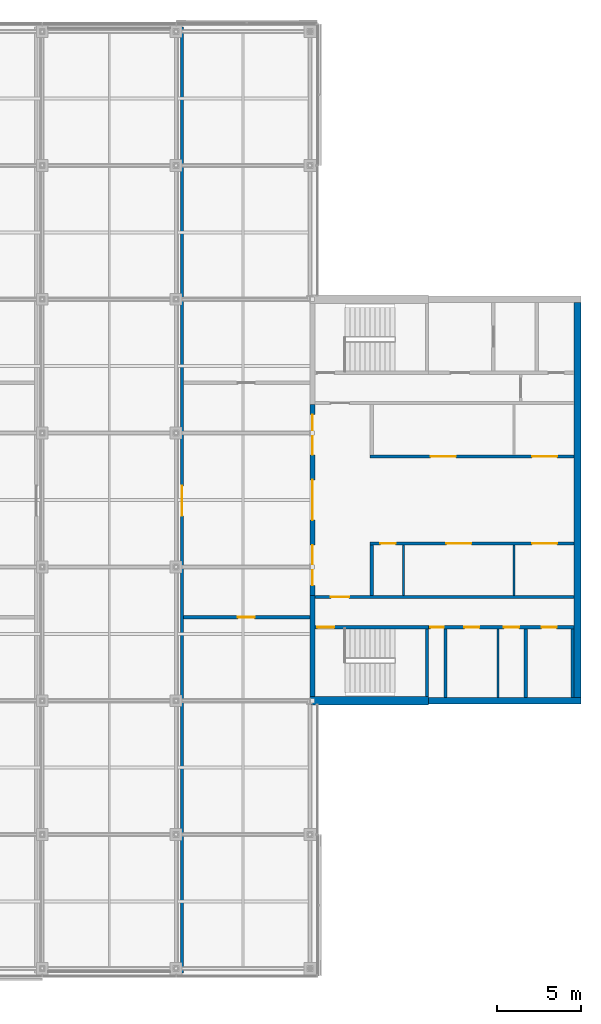
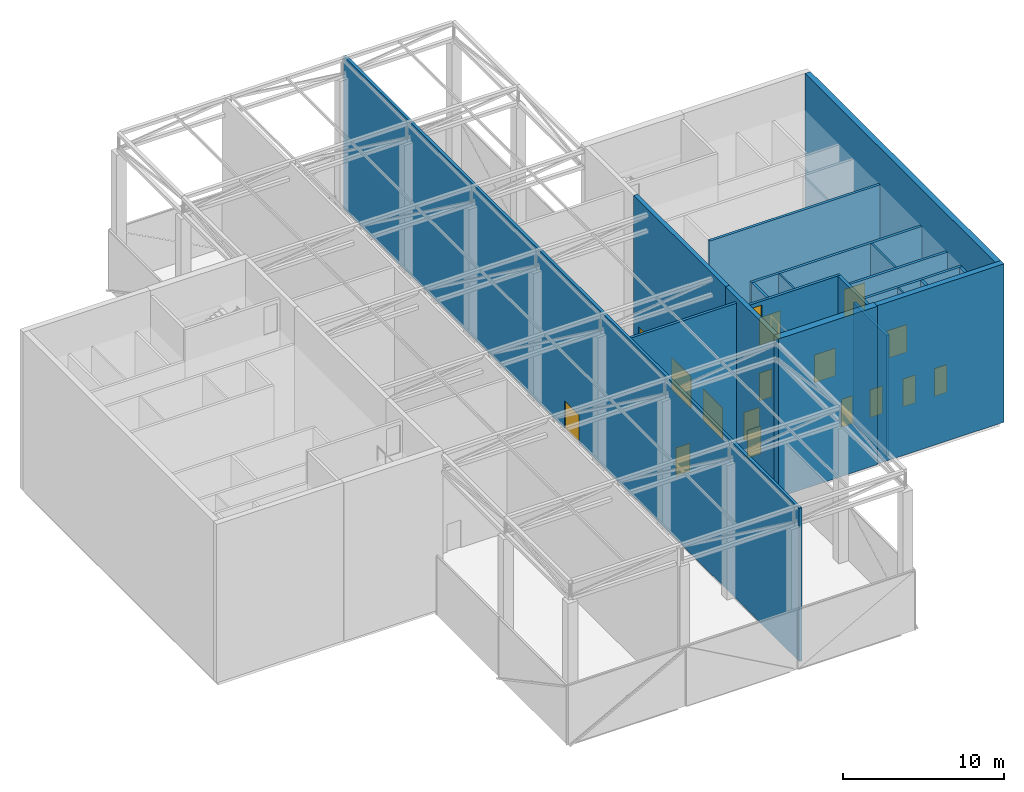
# One storey, part 12 of 23: 20 walls, 17 doors, 17 openings.
"""IFC4 building model written with IfcOpenShell, lengths in metres."""

from ifc_helpers import new_model, si_unit, direction, frame, frame_2d, origin, place, context, subcontext, project, spatial, rectangle, extrude, material, layer, layer_set, constituent, constituent_set, type_object, element, fill, save


model = new_model("IFC4")

# Units and contexts
model_context = context("Model", 3, precision=1e-05, world=origin(), true_north=direction((0.0, 1.0)))
body_context = subcontext(model_context, "Body", "Model", "MODEL_VIEW")
ifc_project = project(units=[si_unit("LENGTHUNIT", "METRE"), si_unit("AREAUNIT", "SQUARE_METRE"), si_unit("VOLUMEUNIT", "CUBIC_METRE"), si_unit("PLANEANGLEUNIT", "RADIAN"), si_unit("MASSUNIT", "GRAM", prefix="KILO")], contexts=[model_context])

# Site, building, storey
site_placement = place(None, origin())
site = spatial("IfcSite", under=ifc_project, at=site_placement, CompositionType="ELEMENT")
building_placement = place(site_placement, origin())
building = spatial("IfcBuilding", under=site, at=building_placement, Name="Crosswind Convention Tower", CompositionType="ELEMENT")
storey_placement = place(building_placement, frame((0.0, 0.0, 349.10009765625)))
storey = spatial("IfcBuildingStorey", under=building, at=storey_placement, Name="L76", CompositionType="ELEMENT", Elevation=349.10009765625)

# Wall
ifc_material_1 = material(Name="Concrete blockwork", Category="masonry")
ifc_layer_1 = layer(ifc_material_1, 0.199951171875)
ifc_layer_set_1 = layer_set([ifc_layer_1], Name="Blockwork partition wall 200")
wall_type_1 = type_object("IfcWallType", Name="Blockwork partition wall 200", PredefinedType="PARTITIONING", material=ifc_layer_set_1)
wall_1_placement = place(storey_placement, frame((145.10009765625, 88.199951171875, 0.0), z_axis=(0.0, 0.0, 1.0), x_axis=(0.0, 1.0, 0.0)))
element("IfcWall", 1, at=wall_1_placement, inside=storey, type_object=wall_type_1, Name="Wall MRSE E L76", PredefinedType="PARTITIONING", context=body_context, shape_type="SweptSolid", body=[
    extrude(rectangle(XDim=4.10009765625, YDim=0.199951171875, at=frame_2d((2.050048828125, 0.0))), origin(), (0.0, 0.0, 1.0), 9.199951171875),
])

# Wall, opening, door
ifc_layer_2 = layer(ifc_material_1, 0.199951171875)
ifc_layer_set_2 = layer_set([ifc_layer_2], Name="COMPARTMENT WALL 200 BLOCKWORK")
wall_type_2 = type_object("IfcWallType", Name="COMPARTMENT WALL 200 BLOCKWORK", PredefinedType="SOLIDWALL", material=ifc_layer_set_2)
wall_2_placement = place(storey_placement, frame((129.35009765625, 71.72998046875, 0.0), z_axis=(0.0, 0.0, 1.0), x_axis=(0.0, 1.0, 0.0)))
wall_2 = element("IfcWall", 2, at=wall_2_placement, inside=storey, type_object=wall_type_2, Name="Compartment wall WT42", PredefinedType="SOLIDWALL", context=body_context, shape_type="SweptSolid", body=[
    extrude(rectangle(XDim=56.5400390625, YDim=0.199951171875, at=frame_2d((28.27001953125, 0.0))), origin(), (0.0, 0.0, 1.0), 11.599853515625),
])
opening_1_placement = place(wall_2_placement, frame((27.320068359375, 0.0, 0.0)))
opening_1 = element("IfcOpeningElement", 3, at=opening_1_placement, cuts=wall_2, Name="Opening L76-53", PredefinedType="OPENING", context=body_context, shape_type="SweptSolid", body=[
    extrude(rectangle(XDim=1.800048828125, YDim=2.10009765625, at=frame_2d((0.89990234375, 1.050048828125))), frame((0.0, 0.10986328125, 0.0), z_axis=(0.0, -1.0, 0.0), x_axis=(1.0, 0.0, 0.0)), (0.0, 0.0, 1.0), 0.219970703125),
])
ifc_material_2 = material(Name="Timber fire door", Category="wood")
door_type_1 = type_object("IfcDoorType", Name="TENANCY ENTRANCE DOUBLE DOOR 1800X2100 FD30S", OperationType="DOUBLE_DOOR_SINGLE_SWING", PredefinedType="DOOR", material=ifc_material_2)
door_1_placement = place(opening_1_placement, origin())
door_1 = element("IfcDoor", 4, at=door_1_placement, inside=storey, type_object=door_type_1, Name="Door L76-53", ObjectType="D42", OperationType="DOUBLE_DOOR_SINGLE_SWING", OverallHeight=2.10009765625, OverallWidth=1.800048828125, PredefinedType="DOOR", context=body_context, shape_type="SweptSolid", body=[
    extrude(rectangle(XDim=1.800048828125, YDim=2.10009765625, at=frame_2d((0.89990234375, 1.050048828125))), frame((0.0, 0.02490234375, 0.0), z_axis=(0.0, -1.0, 0.0), x_axis=(1.0, 0.0, 0.0)), (0.0, 0.0, 1.0), 0.050048828125),
])
fill(opening_1, door_1)

wall_3_placement = place(storey_placement, frame((129.449951171875, 93.0, 0.0), z_axis=(0.0, 0.0, 1.0), x_axis=(1.0, 0.0, 0.0)))
wall_3 = element("IfcWall", 5, at=wall_3_placement, inside=storey, type_object=wall_type_2, Name="Compartment wall WT42", PredefinedType="SOLIDWALL", context=body_context, shape_type="SweptSolid", body=[
    extrude(rectangle(XDim=7.550048828125, YDim=0.199951171875, at=frame_2d((3.77490234375, 0.0))), origin(), (0.0, 0.0, 1.0), 11.599853515625),
])
opening_2_placement = place(wall_3_placement, frame((3.25, 0.0, 0.0)))
opening_2 = element("IfcOpeningElement", 6, at=opening_2_placement, cuts=wall_3, Name="Opening L76-55", PredefinedType="OPENING", context=body_context, shape_type="SweptSolid", body=[
    extrude(rectangle(XDim=1.0, YDim=2.10009765625, at=frame_2d((0.5, 1.050048828125))), frame((0.0, 0.10986328125, 0.0), z_axis=(0.0, -1.0, 0.0), x_axis=(1.0, 0.0, 0.0)), (0.0, 0.0, 1.0), 0.219970703125),
])
ifc_material_3 = material(Name="Steel fire door", Category="steel")
door_type_2 = type_object("IfcDoorType", Name="PLANT ROOM DOOR 1000X2100 FD60", OperationType="NOTDEFINED", PredefinedType="DOOR", material=ifc_material_3)
door_2_placement = place(opening_2_placement, frame((1.0, 0.0, 0.0), z_axis=(0.0, 0.0, 1.0), x_axis=(-1.0, 0.0, 0.0)))
door_2 = element("IfcDoor", 7, at=door_2_placement, inside=storey, type_object=door_type_2, Name="Door L76-55", ObjectType="D43", OperationType="SINGLE_SWING_RIGHT", OverallHeight=2.10009765625, OverallWidth=1.0, PredefinedType="DOOR", context=body_context, shape_type="SweptSolid", body=[
    extrude(rectangle(XDim=1.0, YDim=2.10009765625, at=frame_2d((0.5, 1.050048828125))), frame((0.0, 0.02490234375, 0.0), z_axis=(0.0, -1.0, 0.0), x_axis=(1.0, 0.0, 0.0)), (0.0, 0.0, 1.0), 0.050048828125),
])
fill(opening_2, door_2)

# Wall, openings, doors
ifc_material_4 = material(Name="Concrete C50/60", Category="concrete")
ifc_layer_3 = layer(ifc_material_4, 0.300048828125)
ifc_layer_set_3 = layer_set([ifc_layer_3], Name="Concrete C50/60")
wall_type_3 = type_object("IfcWallType", Name="Concrete inner core wall 300", PredefinedType="SHEAR", material=ifc_layer_set_3)
wall_4_placement = place(storey_placement, frame((137.14990234375, 94.300048828125, 0.0), z_axis=(0.0, 0.0, 1.0), x_axis=(0.0, 1.0, 0.0)))
wall_4 = element("IfcWall", 8, at=wall_4_placement, inside=storey, type_object=wall_type_3, Name="Wall SCR E L76", PredefinedType="SHEAR", context=body_context, shape_type="SweptSolid", body=[
    extrude(rectangle(XDim=11.39990234375, YDim=0.300048828125, at=frame_2d((5.699951171875, 0.0))), origin(), (0.0, 0.0, 1.0), 12.0),
])
opening_3_placement = place(wall_4_placement, frame((0.60009765625, 0.0, 0.0)))
opening_3 = element("IfcOpeningElement", 9, at=opening_3_placement, cuts=wall_4, Name="Opening D100", PredefinedType="OPENING", context=body_context, shape_type="SweptSolid", body=[
    extrude(rectangle(XDim=2.39990234375, YDim=2.39990234375, at=frame_2d((1.199951171875, 1.199951171875))), frame((0.0, 0.159912109375, 0.0), z_axis=(0.0, -1.0, 0.0), x_axis=(1.0, 0.0, 0.0)), (0.0, 0.0, 1.0), 0.320068359375),
])
opening_4_placement = place(wall_4_placement, frame((4.5, 0.0, 0.0)))
opening_4 = element("IfcOpeningElement", 10, at=opening_4_placement, cuts=wall_4, Name="Opening D100", PredefinedType="OPENING", context=body_context, shape_type="SweptSolid", body=[
    extrude(rectangle(XDim=2.39990234375, YDim=2.39990234375, at=frame_2d((1.199951171875, 1.199951171875))), frame((0.0, 0.159912109375, 0.0), z_axis=(0.0, -1.0, 0.0), x_axis=(1.0, 0.0, 0.0)), (0.0, 0.0, 1.0), 0.320068359375),
])
opening_5_placement = place(wall_4_placement, frame((8.39990234375, 0.0, 0.0)))
opening_5 = element("IfcOpeningElement", 11, at=opening_5_placement, cuts=wall_4, Name="Opening D100", PredefinedType="OPENING", context=body_context, shape_type="SweptSolid", body=[
    extrude(rectangle(XDim=2.39990234375, YDim=2.39990234375, at=frame_2d((1.199951171875, 1.199951171875))), frame((0.0, 0.159912109375, 0.0), z_axis=(0.0, -1.0, 0.0), x_axis=(1.0, 0.0, 0.0)), (0.0, 0.0, 1.0), 0.320068359375),
])
ifc_material_5 = material(Name="Steel fire door with glazed vision panels", Category="steel")
door_type_3 = type_object("IfcDoorType", Name="Fire-rated double door 2400x2400", OperationType="DOUBLE_DOOR_SINGLE_SWING", PredefinedType="DOOR", material=ifc_material_5)
door_3_placement = place(opening_3_placement, frame((2.39990234375, 0.0, 0.0), z_axis=(0.0, 0.0, 1.0), x_axis=(-1.0, 0.0, 0.0)))
door_3 = element("IfcDoor", 12, at=door_3_placement, inside=storey, type_object=door_type_3, Name="Lobby door 1 L76", ObjectType="D100", OperationType="DOUBLE_DOOR_SINGLE_SWING", OverallHeight=2.39990234375, OverallWidth=2.39990234375, PredefinedType="DOOR", context=body_context, shape_type="SweptSolid", body=[
    extrude(rectangle(XDim=2.39990234375, YDim=2.39990234375, at=frame_2d((1.199951171875, 1.199951171875))), frame((0.0, 0.02490234375, 0.0), z_axis=(0.0, -1.0, 0.0), x_axis=(1.0, 0.0, 0.0)), (0.0, 0.0, 1.0), 0.050048828125),
])
fill(opening_3, door_3)
door_4_placement = place(opening_4_placement, frame((2.39990234375, 0.0, 0.0), z_axis=(0.0, 0.0, 1.0), x_axis=(-1.0, 0.0, 0.0)))
door_4 = element("IfcDoor", 13, at=door_4_placement, inside=storey, type_object=door_type_3, Name="Lobby door 2 L76", ObjectType="D100", OperationType="DOUBLE_DOOR_SINGLE_SWING", OverallHeight=2.39990234375, OverallWidth=2.39990234375, PredefinedType="DOOR", context=body_context, shape_type="SweptSolid", body=[
    extrude(rectangle(XDim=2.39990234375, YDim=2.39990234375, at=frame_2d((1.199951171875, 1.199951171875))), frame((0.0, 0.02490234375, 0.0), z_axis=(0.0, -1.0, 0.0), x_axis=(1.0, 0.0, 0.0)), (0.0, 0.0, 1.0), 0.050048828125),
])
fill(opening_4, door_4)
door_5_placement = place(opening_5_placement, frame((2.39990234375, 0.0, 0.0), z_axis=(0.0, 0.0, 1.0), x_axis=(-1.0, 0.0, 0.0)))
door_5 = element("IfcDoor", 14, at=door_5_placement, inside=storey, type_object=door_type_3, Name="Lobby door 3 L76", ObjectType="D100", OperationType="DOUBLE_DOOR_SINGLE_SWING", OverallHeight=2.39990234375, OverallWidth=2.39990234375, PredefinedType="DOOR", context=body_context, shape_type="SweptSolid", body=[
    extrude(rectangle(XDim=2.39990234375, YDim=2.39990234375, at=frame_2d((1.199951171875, 1.199951171875))), frame((0.0, 0.02490234375, 0.0), z_axis=(0.0, -1.0, 0.0), x_axis=(1.0, 0.0, 0.0)), (0.0, 0.0, 1.0), 0.050048828125),
])
fill(opening_5, door_5)

# Wall
wall_5_placement = place(storey_placement, frame((137.14990234375, 88.25, 0.0), z_axis=(0.0, 0.0, 1.0), x_axis=(0.0, 1.0, 0.0)))
element("IfcWall", 15, at=wall_5_placement, inside=storey, type_object=wall_type_3, Name="Wall EM E L76", PredefinedType="SHEAR", context=body_context, shape_type="SweptSolid", body=[
    extrude(rectangle(XDim=6.050048828125, YDim=0.300048828125, at=frame_2d((3.02490234375, 0.0))), origin(), (0.0, 0.0, 1.0), 12.0),
])

# Wall, openings, doors
ifc_layer_4 = layer(ifc_material_4, 0.199951171875)
ifc_layer_set_4 = layer_set([ifc_layer_4], Name="Concrete C50/60")
wall_type_4 = type_object("IfcWallType", Name="Concrete shaft and stair wall 200", PredefinedType="SHEAR", material=ifc_layer_set_4)
wall_6_placement = place(storey_placement, frame((140.60009765625, 102.60009765625, 0.0), z_axis=(0.0, 0.0, 1.0), x_axis=(1.0, 0.0, 0.0)))
wall_6 = element("IfcWall", 16, at=wall_6_placement, inside=storey, type_object=wall_type_4, Name="Wall RPFRONT E L76", PredefinedType="SHEAR", context=body_context, shape_type="SweptSolid", body=[
    extrude(rectangle(XDim=12.199951171875, YDim=0.199951171875, at=frame_2d((6.10009765625, 0.0))), origin(), (0.0, 0.0, 1.0), 9.199951171875),
])
opening_6_placement = place(wall_6_placement, frame((3.61865234375, 0.0, 0.0)))
opening_6 = element("IfcOpeningElement", 17, at=opening_6_placement, cuts=wall_6, Name="Opening D108", PredefinedType="OPENING", context=body_context, shape_type="SweptSolid", body=[
    extrude(rectangle(XDim=1.5, YDim=2.10009765625, at=frame_2d((0.75, 1.050048828125))), frame((0.0, 0.10986328125, 0.0), z_axis=(0.0, -1.0, 0.0), x_axis=(1.0, 0.0, 0.0)), (0.0, 0.0, 1.0), 0.219970703125),
])
opening_7_placement = place(wall_6_placement, frame((9.68115234375, 0.0, 0.0)))
opening_7 = element("IfcOpeningElement", 18, at=opening_7_placement, cuts=wall_6, Name="Opening D108", PredefinedType="OPENING", context=body_context, shape_type="SweptSolid", body=[
    extrude(rectangle(XDim=1.5, YDim=2.10009765625, at=frame_2d((0.75, 1.050048828125))), frame((0.0, 0.10986328125, 0.0), z_axis=(0.0, -1.0, 0.0), x_axis=(1.0, 0.0, 0.0)), (0.0, 0.0, 1.0), 0.219970703125),
])
door_type_4 = type_object("IfcDoorType", Name="Plant room double door 1500x2100", OperationType="DOUBLE_DOOR_SINGLE_SWING", PredefinedType="DOOR", material=ifc_material_3)
door_6_placement = place(opening_6_placement, origin())
door_6 = element("IfcDoor", 19, at=door_6_placement, inside=storey, type_object=door_type_4, Name="Door to mechanical plant room L76", ObjectType="D108", OperationType="DOUBLE_DOOR_SINGLE_SWING", OverallHeight=2.10009765625, OverallWidth=1.5, PredefinedType="DOOR", context=body_context, shape_type="SweptSolid", body=[
    extrude(rectangle(XDim=1.5, YDim=2.10009765625, at=frame_2d((0.75, 1.050048828125))), frame((0.0, 0.02490234375, 0.0), z_axis=(0.0, -1.0, 0.0), x_axis=(1.0, 0.0, 0.0)), (0.0, 0.0, 1.0), 0.050048828125),
])
fill(opening_6, door_6)
door_7_placement = place(opening_7_placement, origin())
door_7 = element("IfcDoor", 20, at=door_7_placement, inside=storey, type_object=door_type_4, Name="Door to pump room L76", ObjectType="D108", OperationType="DOUBLE_DOOR_SINGLE_SWING", OverallHeight=2.10009765625, OverallWidth=1.5, PredefinedType="DOOR", context=body_context, shape_type="SweptSolid", body=[
    extrude(rectangle(XDim=1.5, YDim=2.10009765625, at=frame_2d((0.75, 1.050048828125))), frame((0.0, 0.02490234375, 0.0), z_axis=(0.0, -1.0, 0.0), x_axis=(1.0, 0.0, 0.0)), (0.0, 0.0, 1.0), 0.050048828125),
])
fill(opening_7, door_7)

# Wall
wall_7_placement = place(storey_placement, frame((140.699951171875, 94.300048828125, 0.0), z_axis=(0.0, 0.0, 1.0), x_axis=(0.0, 1.0, 0.0)))
element("IfcWall", 21, at=wall_7_placement, inside=storey, type_object=wall_type_4, Name="Wall RMEND E L76", PredefinedType="SHEAR", context=body_context, shape_type="SweptSolid", body=[
    extrude(rectangle(XDim=3.0, YDim=0.199951171875, at=frame_2d((1.5, 0.0))), origin(), (0.0, 0.0, 1.0), 9.199951171875),
])

# Wall, openings, doors
wall_8_placement = place(storey_placement, frame((140.60009765625, 97.39990234375, 0.0), z_axis=(0.0, 0.0, 1.0), x_axis=(1.0, 0.0, 0.0)))
wall_8 = element("IfcWall", 22, at=wall_8_placement, inside=storey, type_object=wall_type_4, Name="Wall RMFRONT E L76", PredefinedType="SHEAR", context=body_context, shape_type="SweptSolid", body=[
    extrude(rectangle(XDim=12.199951171875, YDim=0.199951171875, at=frame_2d((6.10009765625, 0.0))), origin(), (0.0, 0.0, 1.0), 9.199951171875),
])
opening_8_placement = place(wall_8_placement, frame((0.61865234375, 0.0, 0.0)))
opening_8 = element("IfcOpeningElement", 23, at=opening_8_placement, cuts=wall_8, Name="Opening D106", PredefinedType="OPENING", context=body_context, shape_type="SweptSolid", body=[
    extrude(rectangle(XDim=0.89990234375, YDim=2.10009765625, at=frame_2d((0.449951171875, 1.050048828125))), frame((0.0, 0.10986328125, 0.0), z_axis=(0.0, -1.0, 0.0), x_axis=(1.0, 0.0, 0.0)), (0.0, 0.0, 1.0), 0.219970703125),
])
opening_9_placement = place(wall_8_placement, frame((4.550048828125, 0.0, 0.0)))
opening_9 = element("IfcOpeningElement", 24, at=opening_9_placement, cuts=wall_8, Name="Opening D108", PredefinedType="OPENING", context=body_context, shape_type="SweptSolid", body=[
    extrude(rectangle(XDim=1.5, YDim=2.10009765625, at=frame_2d((0.75, 1.050048828125))), frame((0.0, 0.10986328125, 0.0), z_axis=(0.0, -1.0, 0.0), x_axis=(1.0, 0.0, 0.0)), (0.0, 0.0, 1.0), 0.219970703125),
])
opening_10_placement = place(wall_8_placement, frame((9.68115234375, 0.0, 0.0)))
opening_10 = element("IfcOpeningElement", 25, at=opening_10_placement, cuts=wall_8, Name="Opening D108", PredefinedType="OPENING", context=body_context, shape_type="SweptSolid", body=[
    extrude(rectangle(XDim=1.5, YDim=2.10009765625, at=frame_2d((0.75, 1.050048828125))), frame((0.0, 0.10986328125, 0.0), z_axis=(0.0, -1.0, 0.0), x_axis=(1.0, 0.0, 0.0)), (0.0, 0.0, 1.0), 0.219970703125),
])
door_8_placement = place(opening_9_placement, frame((1.5, 0.0, 0.0), z_axis=(0.0, 0.0, 1.0), x_axis=(-1.0, 0.0, 0.0)))
door_8 = element("IfcDoor", 26, at=door_8_placement, inside=storey, type_object=door_type_4, Name="Door to plant room L76", ObjectType="D108", OperationType="DOUBLE_DOOR_SINGLE_SWING", OverallHeight=2.10009765625, OverallWidth=1.5, PredefinedType="DOOR", context=body_context, shape_type="SweptSolid", body=[
    extrude(rectangle(XDim=1.5, YDim=2.10009765625, at=frame_2d((0.75, 1.050048828125))), frame((0.0, 0.02490234375, 0.0), z_axis=(0.0, -1.0, 0.0), x_axis=(1.0, 0.0, 0.0)), (0.0, 0.0, 1.0), 0.050048828125),
])
fill(opening_9, door_8)
door_9_placement = place(opening_10_placement, frame((1.5, 0.0, 0.0), z_axis=(0.0, 0.0, 1.0), x_axis=(-1.0, 0.0, 0.0)))
door_9 = element("IfcDoor", 27, at=door_9_placement, inside=storey, type_object=door_type_4, Name="Door to electrical plant room L76", ObjectType="D108", OperationType="DOUBLE_DOOR_SINGLE_SWING", OverallHeight=2.10009765625, OverallWidth=1.5, PredefinedType="DOOR", context=body_context, shape_type="SweptSolid", body=[
    extrude(rectangle(XDim=1.5, YDim=2.10009765625, at=frame_2d((0.75, 1.050048828125))), frame((0.0, 0.02490234375, 0.0), z_axis=(0.0, -1.0, 0.0), x_axis=(1.0, 0.0, 0.0)), (0.0, 0.0, 1.0), 0.050048828125),
])
fill(opening_10, door_9)
ifc_material_6 = material(Name="Timber door", Category="wood")
door_type_5 = type_object("IfcDoorType", Name="Single leaf door 900x2100", OperationType="NOTDEFINED", PredefinedType="DOOR", material=ifc_material_6)
door_10_placement = place(opening_8_placement, frame((0.89990234375, 0.0, 0.0), z_axis=(0.0, 0.0, 1.0), x_axis=(-1.0, 0.0, 0.0)))
door_10 = element("IfcDoor", 28, at=door_10_placement, inside=storey, type_object=door_type_5, Name="Door to pump room L76", ObjectType="D106", OperationType="SINGLE_SWING_LEFT", OverallHeight=2.10009765625, OverallWidth=0.89990234375, PredefinedType="DOOR", context=body_context, shape_type="SweptSolid", body=[
    extrude(rectangle(XDim=0.89990234375, YDim=2.10009765625, at=frame_2d((0.449951171875, 1.050048828125))), frame((0.0, 0.02490234375, 0.0), z_axis=(0.0, -1.0, 0.0), x_axis=(1.0, 0.0, 0.0)), (0.0, 0.0, 1.0), 0.050048828125),
])
fill(opening_8, door_10)

# Wall, opening, door
wall_9_placement = place(storey_placement, frame((137.300048828125, 94.199951171875, 0.0), z_axis=(0.0, 0.0, 1.0), x_axis=(1.0, 0.0, 0.0)))
wall_9 = element("IfcWall", 29, at=wall_9_placement, inside=storey, type_object=wall_type_4, Name="Wall HM E L76", PredefinedType="SHEAR", context=body_context, shape_type="SweptSolid", body=[
    extrude(rectangle(XDim=15.5, YDim=0.199951171875, at=frame_2d((7.75, 0.0))), origin(), (0.0, 0.0, 1.0), 9.199951171875),
])
opening_11_placement = place(wall_9_placement, frame((0.949951171875, 0.0, 0.0)))
opening_11 = element("IfcOpeningElement", 30, at=opening_11_placement, cuts=wall_9, Name="Opening D104", PredefinedType="OPENING", context=body_context, shape_type="SweptSolid", body=[
    extrude(rectangle(XDim=1.10009765625, YDim=2.10009765625, at=frame_2d((0.550048828125, 1.050048828125))), frame((0.0, 0.10986328125, 0.0), z_axis=(0.0, -1.0, 0.0), x_axis=(1.0, 0.0, 0.0)), (0.0, 0.0, 1.0), 0.219970703125),
])
door_type_6 = type_object("IfcDoorType", Name="Fire-rated single door 1100x2100", OperationType="NOTDEFINED", PredefinedType="DOOR", material=ifc_material_3)
door_11_placement = place(opening_11_placement, frame((1.10009765625, 0.0, 0.0), z_axis=(0.0, 0.0, 1.0), x_axis=(-1.0, 0.0, 0.0)))
door_11 = element("IfcDoor", 31, at=door_11_placement, inside=storey, type_object=door_type_6, Name="Corridor door L76", ObjectType="D104", OperationType="SINGLE_SWING_RIGHT", OverallHeight=2.10009765625, OverallWidth=1.10009765625, PredefinedType="DOOR", context=body_context, shape_type="SweptSolid", body=[
    extrude(rectangle(XDim=1.10009765625, YDim=2.10009765625, at=frame_2d((0.550048828125, 1.050048828125))), frame((0.0, 0.02490234375, 0.0), z_axis=(0.0, -1.0, 0.0), x_axis=(1.0, 0.0, 0.0)), (0.0, 0.0, 1.0), 0.050048828125),
])
fill(opening_11, door_11)

# Walls
wall_10_placement = place(storey_placement, frame((144.0, 88.25, 0.0), z_axis=(0.0, 0.0, 1.0), x_axis=(0.0, 1.0, 0.0)))
element("IfcWall", 32, at=wall_10_placement, inside=storey, type_object=wall_type_4, Name="Wall MSE E L76", PredefinedType="SHEAR", context=body_context, shape_type="SweptSolid", body=[
    extrude(rectangle(XDim=4.050048828125, YDim=0.199951171875, at=frame_2d((2.02490234375, 0.0))), origin(), (0.0, 0.0, 1.0), 11.599853515625),
])
for number, where, z_axis, x_axis, name in (
    (33, (149.89990234375, 88.199951171875, 0.0), (0.0, 0.0, 1.0), (0.0, 1.0, 0.0), "Wall MFSW E L76"),
    (34, (152.699951171875, 88.199951171875, 0.0), (0.0, 0.0, 1.0), (0.0, 1.0, 0.0), "Wall MFSE E L76"),
):
    element("IfcWall", number, at=place(storey_placement, frame(where, z_axis=z_axis, x_axis=x_axis)), inside=storey, type_object=wall_type_4, Name=name, PredefinedType="SHEAR", context=body_context, shape_type="SweptSolid", body=[
        extrude(rectangle(XDim=4.10009765625, YDim=0.199951171875, at=frame_2d((2.050048828125, 0.0))), origin(), (0.0, 0.0, 1.0), 9.199951171875),
    ])

# Wall, openings, doors
wall_11_placement = place(storey_placement, frame((137.300048828125, 92.39990234375, 0.0), z_axis=(0.0, 0.0, 1.0), x_axis=(1.0, 0.0, 0.0)))
wall_11 = element("IfcWall", 35, at=wall_11_placement, inside=storey, type_object=wall_type_4, Name="Wall MCW E L76", PredefinedType="SHEAR", context=body_context, shape_type="SweptSolid", body=[
    extrude(rectangle(XDim=6.800048828125, YDim=0.199951171875, at=frame_2d((3.39990234375, 0.0))), origin(), (0.0, 0.0, 1.0), 11.599853515625),
])
opening_12_placement = place(wall_11_placement, frame((0.14990234375, 0.0, 0.0)))
opening_12 = element("IfcOpeningElement", 36, at=opening_12_placement, cuts=wall_11, Name="Opening D103", PredefinedType="OPENING", context=body_context, shape_type="SweptSolid", body=[
    extrude(rectangle(XDim=1.0, YDim=2.10009765625, at=frame_2d((0.5, 1.050048828125))), frame((0.0, 0.10986328125, 0.0), z_axis=(0.0, -1.0, 0.0), x_axis=(1.0, 0.0, 0.0)), (0.0, 0.0, 1.0), 0.219970703125),
])
opening_13_placement = place(wall_11_placement, frame((0.14990234375, 0.0, 9.199951171875)))
opening_13 = element("IfcOpeningElement", 37, at=opening_13_placement, cuts=wall_11, Name="Opening D103", PredefinedType="OPENING", context=body_context, shape_type="SweptSolid", body=[
    extrude(rectangle(XDim=1.0, YDim=2.10009765625, at=frame_2d((0.5, 1.050048828125))), frame((0.0, 0.10986328125, 0.0), z_axis=(0.0, -1.0, 0.0), x_axis=(1.0, 0.0, 0.0)), (0.0, 0.0, 1.0), 0.219970703125),
])
door_type_7 = type_object("IfcDoorType", Name="Fire-rated single door 1000x2100", OperationType="NOTDEFINED", PredefinedType="DOOR", material=ifc_material_3)
door_12_placement = place(opening_12_placement, frame((1.0, 0.0, 0.0), z_axis=(0.0, 0.0, 1.0), x_axis=(-1.0, 0.0, 0.0)))
door_12 = element("IfcDoor", 38, at=door_12_placement, inside=storey, type_object=door_type_7, Name="Stair ST2 door L76", ObjectType="D103", OperationType="SINGLE_SWING_RIGHT", OverallHeight=2.10009765625, OverallWidth=1.0, PredefinedType="DOOR", context=body_context, shape_type="SweptSolid", body=[
    extrude(rectangle(XDim=1.0, YDim=2.10009765625, at=frame_2d((0.5, 1.050048828125))), frame((0.0, 0.02490234375, 0.0), z_axis=(0.0, -1.0, 0.0), x_axis=(1.0, 0.0, 0.0)), (0.0, 0.0, 1.0), 0.050048828125),
])
fill(opening_12, door_12)
door_13_placement = place(opening_13_placement, origin())
door_13 = element("IfcDoor", 39, at=door_13_placement, inside=storey, type_object=door_type_7, Name="Stair ST2 roof door L76", ObjectType="D103", OperationType="SINGLE_SWING_LEFT", OverallHeight=2.10009765625, OverallWidth=1.0, PredefinedType="DOOR", context=body_context, shape_type="SweptSolid", body=[
    extrude(rectangle(XDim=1.0, YDim=2.10009765625, at=frame_2d((0.5, 1.050048828125))), frame((0.0, 0.02490234375, 0.0), z_axis=(0.0, -1.0, 0.0), x_axis=(1.0, 0.0, 0.0)), (0.0, 0.0, 1.0), 0.050048828125),
])
fill(opening_13, door_13)

wall_12_placement = place(storey_placement, frame((144.10009765625, 92.39990234375, 0.0), z_axis=(0.0, 0.0, 1.0), x_axis=(1.0, 0.0, 0.0)))
wall_12 = element("IfcWall", 40, at=wall_12_placement, inside=storey, type_object=wall_type_4, Name="Wall MCX E L76", PredefinedType="SHEAR", context=body_context, shape_type="SweptSolid", body=[
    extrude(rectangle(XDim=8.699951171875, YDim=0.199951171875, at=frame_2d((4.35009765625, 0.0))), origin(), (0.0, 0.0, 1.0), 9.199951171875),
])
opening_14_placement = place(wall_12_placement, frame((0.10009765625, 0.0, 0.0)))
opening_14 = element("IfcOpeningElement", 41, at=opening_14_placement, cuts=wall_12, Name="Opening D105", PredefinedType="OPENING", context=body_context, shape_type="SweptSolid", body=[
    extrude(rectangle(XDim=0.800048828125, YDim=2.10009765625, at=frame_2d((0.39990234375, 1.050048828125))), frame((0.0, 0.10986328125, 0.0), z_axis=(0.0, -1.0, 0.0), x_axis=(1.0, 0.0, 0.0)), (0.0, 0.0, 1.0), 0.219970703125),
])
opening_15_placement = place(wall_12_placement, frame((2.13671875, 0.0, 0.0)))
opening_15 = element("IfcOpeningElement", 42, at=opening_15_placement, cuts=wall_12, Name="Opening D106", PredefinedType="OPENING", context=body_context, shape_type="SweptSolid", body=[
    extrude(rectangle(XDim=0.89990234375, YDim=2.10009765625, at=frame_2d((0.449951171875, 1.050048828125))), frame((0.0, 0.10986328125, 0.0), z_axis=(0.0, -1.0, 0.0), x_axis=(1.0, 0.0, 0.0)), (0.0, 0.0, 1.0), 0.219970703125),
])
opening_16_placement = place(wall_12_placement, frame((4.499267578125, 0.0, 0.0)))
opening_16 = element("IfcOpeningElement", 43, at=opening_16_placement, cuts=wall_12, Name="Opening D106", PredefinedType="OPENING", context=body_context, shape_type="SweptSolid", body=[
    extrude(rectangle(XDim=0.89990234375, YDim=2.10009765625, at=frame_2d((0.449951171875, 1.050048828125))), frame((0.0, 0.10986328125, 0.0), z_axis=(0.0, -1.0, 0.0), x_axis=(1.0, 0.0, 0.0)), (0.0, 0.0, 1.0), 0.219970703125),
])
opening_17_placement = place(wall_12_placement, frame((6.75, 0.0, 0.0)))
opening_17 = element("IfcOpeningElement", 44, at=opening_17_placement, cuts=wall_12, Name="Opening D106", PredefinedType="OPENING", context=body_context, shape_type="SweptSolid", body=[
    extrude(rectangle(XDim=0.89990234375, YDim=2.10009765625, at=frame_2d((0.449951171875, 1.050048828125))), frame((0.0, 0.10986328125, 0.0), z_axis=(0.0, -1.0, 0.0), x_axis=(1.0, 0.0, 0.0)), (0.0, 0.0, 1.0), 0.219970703125),
])
door_type_8 = type_object("IfcDoorType", Name="Riser access door 800x2100", OperationType="NOTDEFINED", PredefinedType="DOOR", material=ifc_material_3)
door_14_placement = place(opening_14_placement, frame((0.800048828125, 0.0, 0.0), z_axis=(0.0, 0.0, 1.0), x_axis=(-1.0, 0.0, 0.0)))
door_14 = element("IfcDoor", 45, at=door_14_placement, inside=storey, type_object=door_type_8, Name="Riser door L76", ObjectType="D105", OperationType="SINGLE_SWING_LEFT", OverallHeight=2.10009765625, OverallWidth=0.800048828125, PredefinedType="DOOR", context=body_context, shape_type="SweptSolid", body=[
    extrude(rectangle(XDim=0.800048828125, YDim=2.10009765625, at=frame_2d((0.39990234375, 1.050048828125))), frame((0.0, 0.02490234375, 0.0), z_axis=(0.0, -1.0, 0.0), x_axis=(1.0, 0.0, 0.0)), (0.0, 0.0, 1.0), 0.050048828125),
])
fill(opening_14, door_14)
door_15_placement = place(opening_15_placement, frame((0.89990234375, 0.0, 0.0), z_axis=(0.0, 0.0, 1.0), x_axis=(-1.0, 0.0, 0.0)))
door_15 = element("IfcDoor", 46, at=door_15_placement, inside=storey, type_object=door_type_5, Name="Door to pump room L76", ObjectType="D106", OperationType="SINGLE_SWING_LEFT", OverallHeight=2.10009765625, OverallWidth=0.89990234375, PredefinedType="DOOR", context=body_context, shape_type="SweptSolid", body=[
    extrude(rectangle(XDim=0.89990234375, YDim=2.10009765625, at=frame_2d((0.449951171875, 1.050048828125))), frame((0.0, 0.02490234375, 0.0), z_axis=(0.0, -1.0, 0.0), x_axis=(1.0, 0.0, 0.0)), (0.0, 0.0, 1.0), 0.050048828125),
])
fill(opening_15, door_15)
door_16_placement = place(opening_16_placement, frame((0.89990234375, 0.0, 0.0), z_axis=(0.0, 0.0, 1.0), x_axis=(-1.0, 0.0, 0.0)))
door_16 = element("IfcDoor", 47, at=door_16_placement, inside=storey, type_object=door_type_5, Name="Door to plant room L76", ObjectType="D106", OperationType="SINGLE_SWING_LEFT", OverallHeight=2.10009765625, OverallWidth=0.89990234375, PredefinedType="DOOR", context=body_context, shape_type="SweptSolid", body=[
    extrude(rectangle(XDim=0.89990234375, YDim=2.10009765625, at=frame_2d((0.449951171875, 1.050048828125))), frame((0.0, 0.02490234375, 0.0), z_axis=(0.0, -1.0, 0.0), x_axis=(1.0, 0.0, 0.0)), (0.0, 0.0, 1.0), 0.050048828125),
])
fill(opening_16, door_16)
door_17_placement = place(opening_17_placement, frame((0.89990234375, 0.0, 0.0), z_axis=(0.0, 0.0, 1.0), x_axis=(-1.0, 0.0, 0.0)))
door_17 = element("IfcDoor", 48, at=door_17_placement, inside=storey, type_object=door_type_5, Name="Door to plant room L76", ObjectType="D106", OperationType="SINGLE_SWING_LEFT", OverallHeight=2.10009765625, OverallWidth=0.89990234375, PredefinedType="DOOR", context=body_context, shape_type="SweptSolid", body=[
    extrude(rectangle(XDim=0.89990234375, YDim=2.10009765625, at=frame_2d((0.449951171875, 1.050048828125))), frame((0.0, 0.02490234375, 0.0), z_axis=(0.0, -1.0, 0.0), x_axis=(1.0, 0.0, 0.0)), (0.0, 0.0, 1.0), 0.050048828125),
])
fill(opening_17, door_17)

# Walls
ifc_material_7 = material(Name="Gypsum plasterboard partition", Category="gypsum")
ifc_layer_5 = layer(ifc_material_7, 0.125)
ifc_layer_set_5 = layer_set([ifc_layer_5], Name="Drywall partition wall 125")
wall_type_5 = type_object("IfcWallType", Name="Drywall partition wall 125", PredefinedType="PARTITIONING", material=ifc_layer_set_5)
for number, where, z_axis, x_axis, name in (
    (49, (142.60009765625, 94.300048828125, 0.0), (0.0, 0.0, 1.0), (0.0, 1.0, 0.0), "Wall RMP1 E L76"),
    (50, (149.199951171875, 94.300048828125, 0.0), (0.0, 0.0, 1.0), (0.0, 1.0, 0.0), "Wall RMP2 E L76"),
):
    element("IfcWall", number, at=place(storey_placement, frame(where, z_axis=z_axis, x_axis=x_axis)), inside=storey, type_object=wall_type_5, Name=name, PredefinedType="PARTITIONING", context=body_context, shape_type="SweptSolid", body=[
        extrude(rectangle(XDim=3.0, YDim=0.125, at=frame_2d((1.5, 0.0))), origin(), (0.0, 0.0, 1.0), 9.199951171875),
    ])
wall_13_placement = place(storey_placement, frame((148.236083984375, 88.199951171875, 0.0), z_axis=(0.0, 0.0, 1.0), x_axis=(0.0, 1.0, 0.0)))
element("IfcWall", 51, at=wall_13_placement, inside=storey, type_object=wall_type_5, Name="Wall MWP1 E L76", PredefinedType="PARTITIONING", context=body_context, shape_type="SweptSolid", body=[
    extrude(rectangle(XDim=4.10009765625, YDim=0.125, at=frame_2d((2.050048828125, 0.0))), origin(), (0.0, 0.0, 1.0), 9.199951171875),
])
ifc_material_8 = material(Name="Concrete C60/75", Category="concrete")
ifc_constituent_1 = constituent(ifc_material_8, Name="Structure")
ifc_material_9 = material(Name="Terracotta rainscreen", Category="ceramic")
ifc_constituent_2 = constituent(ifc_material_9, Name="Facing")
ifc_constituent_set_1 = constituent_set(constituents=[ifc_constituent_1, ifc_constituent_2], Name="Concrete C60/75, Terracotta rainscreen")
wall_type_6 = type_object("IfcWallType", Name="Terracotta rainscreen on concrete core wall 400", PredefinedType="SHEAR", material=ifc_constituent_set_1)
wall_14_placement = place(storey_placement, frame((144.10009765625, 88.0, 0.0), z_axis=(0.0, 0.0, 1.0), x_axis=(1.0, 0.0, 0.0)))
element("IfcWall", 52, at=wall_14_placement, inside=storey, type_object=wall_type_6, Name="Wall S2 E L76", PredefinedType="SHEAR", context=body_context, shape_type="SweptSolid", body=[
    extrude(rectangle(XDim=9.099853515625, YDim=0.39990234375, at=frame_2d((4.5498046875, 0.0))), origin(), (0.0, 0.0, 1.0), 12.0),
])
wall_15_placement = place(storey_placement, frame((153.0, 88.199951171875, 0.0), z_axis=(0.0, 0.0, 1.0), x_axis=(0.0, 1.0, 0.0)))
element("IfcWall", 53, at=wall_15_placement, inside=storey, type_object=wall_type_6, Name="Wall O E L76", PredefinedType="SHEAR", context=body_context, shape_type="SweptSolid", body=[
    extrude(rectangle(XDim=23.60009765625, YDim=0.39990234375, at=frame_2d((11.800048828125, 0.0))), origin(), (0.0, 0.0, 1.0), 12.0),
])
ifc_constituent_3 = constituent(ifc_material_8, Name="Structure")
ifc_constituent_4 = constituent(ifc_material_9, Name="Facing")
ifc_constituent_set_2 = constituent_set(constituents=[ifc_constituent_3, ifc_constituent_4], Name="Concrete C60/75, Terracotta rainscreen")
wall_type_7 = type_object("IfcWallType", Name="Terracotta rainscreen on concrete core wall 500", PredefinedType="SHEAR", material=ifc_constituent_set_2)
wall_16_placement = place(storey_placement, frame((137.0, 88.0, 0.0), z_axis=(0.0, 0.0, 1.0), x_axis=(1.0, 0.0, 0.0)))
element("IfcWall", 54, at=wall_16_placement, inside=storey, type_object=wall_type_7, Name="Wall S1 E L76", PredefinedType="SHEAR", context=body_context, shape_type="SweptSolid", body=[
    extrude(rectangle(XDim=7.10009765625, YDim=0.5, at=frame_2d((3.550048828125, 0.0))), origin(), (0.0, 0.0, 1.0), 12.0),
])

save(model, "model.ifc")
